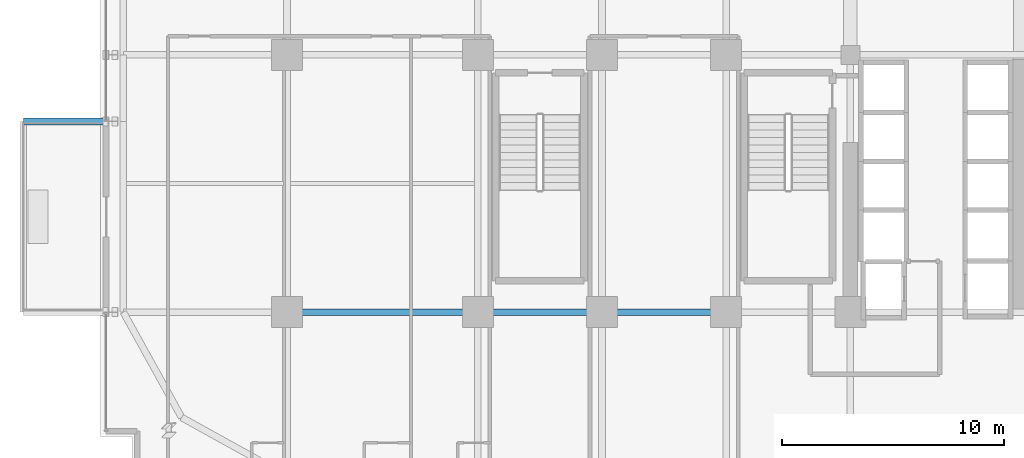
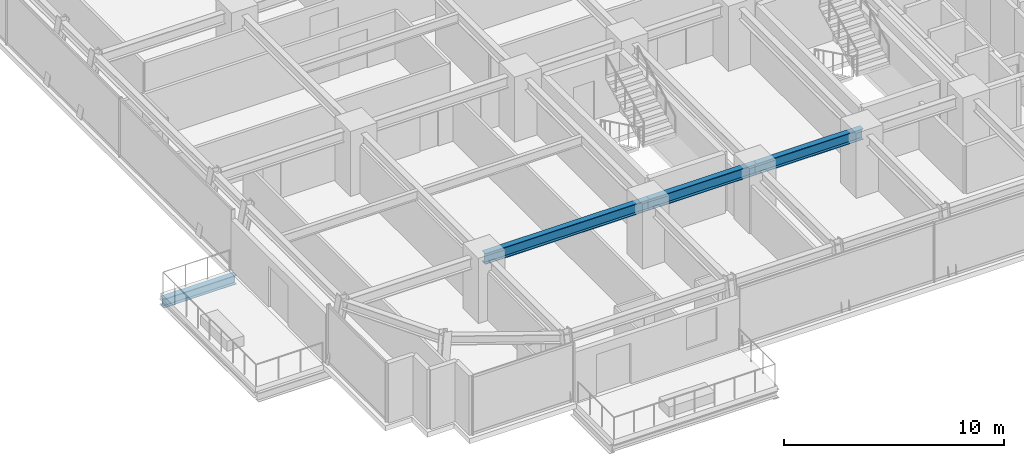
# One storey, part 7 of 35: 4 beams.
"""IFC4 building model written with IfcOpenShell, lengths in metres."""

from ifc_helpers import new_model, si_unit, direction, frame, origin, origin_2d, place, context, subcontext, project, spatial, i_section, extrude, source, transform, mapped, material, material_profile, profile_set, type_object, element, save


model = new_model("IFC4")

# Units and contexts
model_context = context("Model", 3, precision=1e-05, world=origin(), true_north=direction((0.0, 1.0)))
body_context = subcontext(model_context, "Body", "Model", "MODEL_VIEW")
ifc_project = project(units=[si_unit("LENGTHUNIT", "METRE"), si_unit("AREAUNIT", "SQUARE_METRE"), si_unit("VOLUMEUNIT", "CUBIC_METRE"), si_unit("PLANEANGLEUNIT", "RADIAN"), si_unit("MASSUNIT", "GRAM", prefix="KILO")], contexts=[model_context])

# Site, building, storey
site_placement = place(None, origin())
site = spatial("IfcSite", under=ifc_project, at=site_placement, CompositionType="ELEMENT")
building_placement = place(site_placement, origin())
building = spatial("IfcBuilding", under=site, at=building_placement, Name="Nahalor Promenade Grand Hotel", CompositionType="ELEMENT")
storey_placement = place(building_placement, frame((0.0, 0.0, 79.85009765625)))
storey = spatial("IfcBuildingStorey", under=building, at=storey_placement, Name="L19", CompositionType="ELEMENT", Elevation=79.85009765625)

# Beams
ifc_material = material(Name="Steel S355JR", Category="steel")
ifc_material_profile_1 = material_profile(ifc_material, i_section(OverallWidth=0.3, OverallDepth=0.5, WebThickness=0.0145, FlangeThickness=0.028, at=origin_2d()), Name="HEB 500")
ifc_profile_set_1 = profile_set([ifc_material_profile_1], Name="Steel S355JR")
beam_type_1 = type_object("IfcBeamType", Name="Beam-Outrigger-HEB500", PredefinedType="BEAM", material=ifc_profile_set_1)
shared_shape_1 = source(origin(), body_context, "Body", "SweptSolid", [
    extrude(i_section(OverallWidth=0.3, OverallDepth=0.5, WebThickness=0.0145, FlangeThickness=0.028, at=origin_2d()), origin(), (0.0, 0.0, 1.0), 3.809814453125),
])
beam_1_placement = place(storey_placement, frame((-28.889892578125, -8.39990234375, -0.530029296875), z_axis=(1.0, 0.0, 0.0), x_axis=(0.0, 1.0, 0.0)))
element("IfcBeam", 1, at=beam_1_placement, inside=storey, type_object=beam_type_1, Name="BM-L19-BC-02-2", PredefinedType="BEAM", context=body_context, shape_type="MappedRepresentation", body=[
    mapped(shared_shape_1, transform((0.0, 0.0, 0.0), scale=1.0)),
])
ifc_material_profile_2 = material_profile(ifc_material, i_section(OverallWidth=0.3, OverallDepth=0.6, WebThickness=0.0155, FlangeThickness=0.03, at=origin_2d()), Name="HEB 600")
ifc_profile_set_2 = profile_set([ifc_material_profile_2], Name="Steel S355JR")
beam_type_2 = type_object("IfcBeamType", Name="Beam-Girder-HEB600", PredefinedType="BEAM", material=ifc_profile_set_2)
shared_shape_2 = source(origin(), body_context, "Body", "SweptSolid", [
    extrude(i_section(OverallWidth=0.3, OverallDepth=0.6, WebThickness=0.0155, FlangeThickness=0.03, at=origin_2d()), origin(), (0.0, 0.0, 1.0), 8.60009765625),
])
beam_2_placement = place(storey_placement, frame((-17.0, -17.0, 2.989990234375), z_axis=(1.0, 0.0, 0.0), x_axis=(0.0, 1.0, 0.0)))
element("IfcBeam", 2, at=beam_2_placement, inside=storey, type_object=beam_type_2, Name="BM-L19-GX-0-1", PredefinedType="BEAM", context=body_context, shape_type="MappedRepresentation", body=[
    mapped(shared_shape_2, transform((0.0, 0.0, 0.0), scale=1.0)),
])
shared_shape_3 = source(origin(), body_context, "Body", "SweptSolid", [
    extrude(i_section(OverallWidth=0.3, OverallDepth=0.6, WebThickness=0.0155, FlangeThickness=0.03, at=origin_2d()), origin(), (0.0, 0.0, 1.0), 5.599853515625),
])
beam_3_placement = place(storey_placement, frame((-8.39990234375, -17.0, 2.989990234375), z_axis=(1.0, 0.0, 0.0), x_axis=(0.0, 1.0, 0.0)))
element("IfcBeam", 3, at=beam_3_placement, inside=storey, type_object=beam_type_2, Name="BM-L19-GX-0-2", PredefinedType="BEAM", context=body_context, shape_type="MappedRepresentation", body=[
    mapped(shared_shape_3, transform((0.0, 0.0, 0.0), scale=1.0)),
])
shared_shape_4 = source(origin(), body_context, "Body", "SweptSolid", [
    extrude(i_section(OverallWidth=0.3, OverallDepth=0.6, WebThickness=0.0155, FlangeThickness=0.03, at=origin_2d()), origin(), (0.0, 0.0, 1.0), 5.60009765625),
])
beam_4_placement = place(storey_placement, frame((-2.800048828125, -17.0, 2.989990234375), z_axis=(1.0, 0.0, 0.0), x_axis=(0.0, 1.0, 0.0)))
element("IfcBeam", 4, at=beam_4_placement, inside=storey, type_object=beam_type_2, Name="BM-L19-GX-0-3", PredefinedType="BEAM", context=body_context, shape_type="MappedRepresentation", body=[
    mapped(shared_shape_4, transform((0.0, 0.0, 0.0), scale=1.0)),
])

save(model, "model.ifc")
